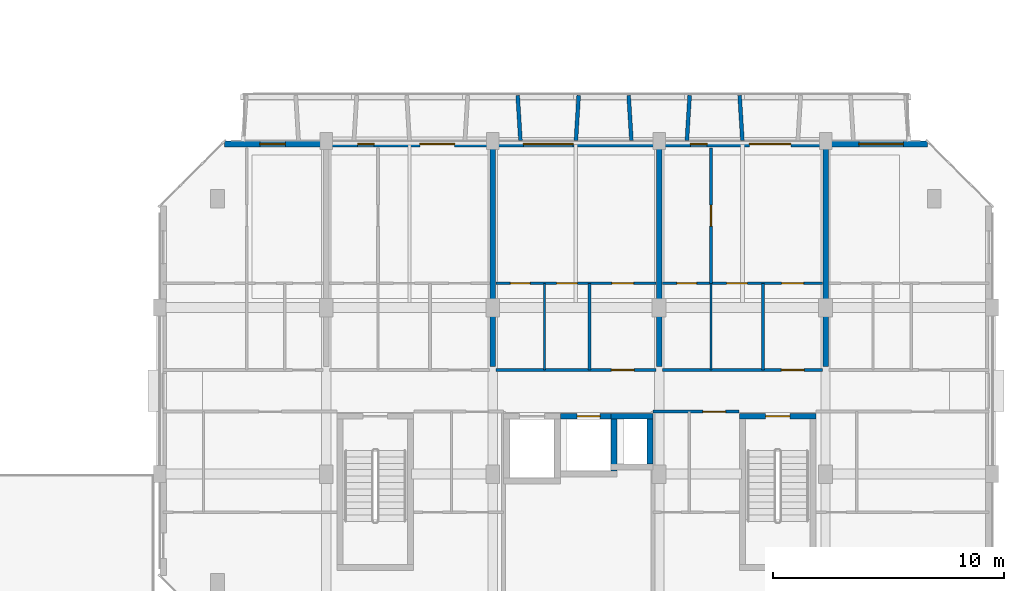
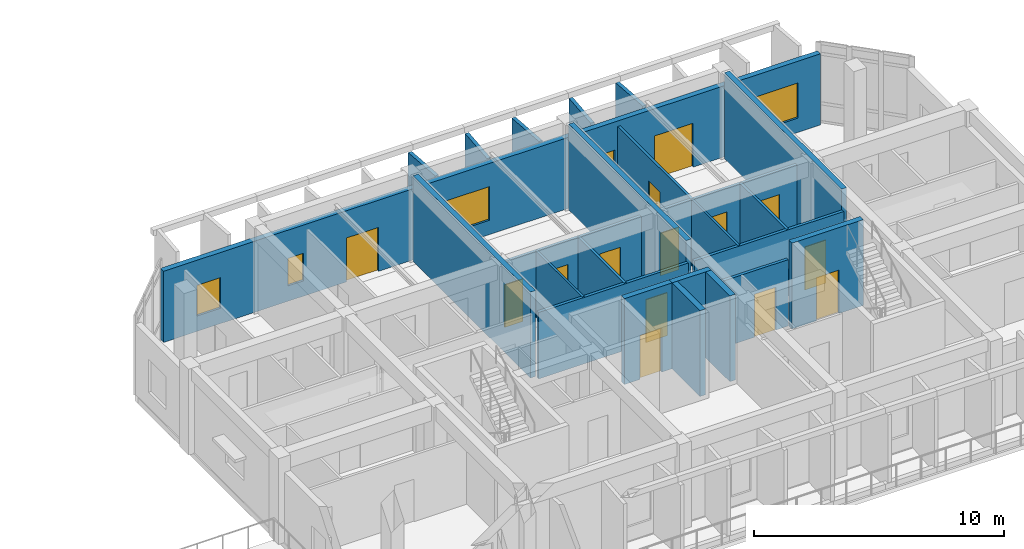
# One storey, part 61 of 85: 24 walls, 14 doors, 5 windows, 19 openings.
"""IFC4 building model written with IfcOpenShell, lengths in metres."""

from ifc_helpers import new_model, si_unit, direction, frame, frame_2d, origin, place, context, subcontext, project, spatial, rectangle, extrude, material, layer, layer_set, type_object, element, fill, save


model = new_model("IFC4")

# Units and contexts
model_context = context("Model", 3, precision=1e-05, world=origin(), true_north=direction((0.0, 1.0)))
body_context = subcontext(model_context, "Body", "Model", "MODEL_VIEW")
ifc_project = project(units=[si_unit("LENGTHUNIT", "METRE"), si_unit("AREAUNIT", "SQUARE_METRE"), si_unit("VOLUMEUNIT", "CUBIC_METRE"), si_unit("PLANEANGLEUNIT", "RADIAN"), si_unit("MASSUNIT", "GRAM", prefix="KILO")], contexts=[model_context])

# Site, building, storey
site_placement = place(None, origin())
site = spatial("IfcSite", under=ifc_project, at=site_placement, CompositionType="ELEMENT")
building_placement = place(site_placement, origin())
building = spatial("IfcBuilding", under=site, at=building_placement, Name="Ochrevale Crest", CompositionType="ELEMENT")
storey_placement = place(building_placement, frame((0.0, 0.0, 4.5)))
storey = spatial("IfcBuildingStorey", under=building, at=storey_placement, Name="L01", CompositionType="ELEMENT", Elevation=4.5)

# Wall, opening, door
ifc_material_1 = material(Name="Gypsum plasterboard", Category="gypsum")
ifc_layer_1 = layer(ifc_material_1, 0.139892578125)
ifc_layer_set_1 = layer_set([ifc_layer_1], Name="Gypsum plasterboard")
wall_type_1 = type_object("IfcWallType", Name="WL-COR-140", PredefinedType="PARTITIONING", material=ifc_layer_set_1)
wall_1_placement = place(storey_placement, frame((144.139892578125, 83.699951171875, 0.0), z_axis=(0.0, 0.0, 1.0), x_axis=(1.0, 0.0, 0.0)))
wall_1 = element("IfcWall", 1, at=wall_1_placement, inside=storey, type_object=wall_type_1, Name="Apartment D-L01-U3 corridor wall", PredefinedType="PARTITIONING", context=body_context, shape_type="SweptSolid", body=[
    extrude(rectangle(XDim=6.920166015625, YDim=0.139892578125, at=frame_2d((3.4599609375, 0.0))), origin(), (0.0, 0.0, 1.0), 3.25),
])
opening_1_placement = place(wall_1_placement, frame((4.9951171875, 0.0, 0.0)))
opening_1 = element("IfcOpeningElement", 2, at=opening_1_placement, cuts=wall_1, Name="Opening FD01", PredefinedType="OPENING", context=body_context, shape_type="SweptSolid", body=[
    extrude(rectangle(XDim=0.97998046875, YDim=2.10009765625, at=frame_2d((0.489990234375, 1.050048828125))), frame((0.0, 0.080078125, 0.0), z_axis=(0.0, -1.0, 0.0), x_axis=(1.0, 0.0, 0.0)), (0.0, 0.0, 1.0), 0.159912109375),
])
ifc_material_2 = material(Name="Solid-core FSC hardwood", Category="wood")
door_type_1 = type_object("IfcDoorType", Name="DR-APT-950", OperationType="NOTDEFINED", PredefinedType="DOOR", material=ifc_material_2)
door_1_placement = place(opening_1_placement, origin())
door_1 = element("IfcDoor", 3, at=door_1_placement, inside=storey, type_object=door_type_1, Name="Apartment D-L01-U3 entrance door", OperationType="SINGLE_SWING_LEFT", OverallHeight=2.10009765625, OverallWidth=0.97998046875, PredefinedType="DOOR", context=body_context, shape_type="SweptSolid", body=[
    extrude(rectangle(XDim=0.97998046875, YDim=2.10009765625, at=frame_2d((0.489990234375, 1.050048828125))), frame((0.0, 0.02490234375, 0.0), z_axis=(0.0, -1.0, 0.0), x_axis=(1.0, 0.0, 0.0)), (0.0, 0.0, 1.0), 0.050048828125),
])
fill(opening_1, door_1)

wall_2_placement = place(storey_placement, frame((151.340087890625, 83.699951171875, 0.0), z_axis=(0.0, 0.0, 1.0), x_axis=(1.0, 0.0, 0.0)))
wall_2 = element("IfcWall", 4, at=wall_2_placement, inside=storey, type_object=wall_type_1, Name="Apartment D-L01-U4 corridor wall", PredefinedType="PARTITIONING", context=body_context, shape_type="SweptSolid", body=[
    extrude(rectangle(XDim=6.919921875, YDim=0.139892578125, at=frame_2d((3.4599609375, 0.0))), origin(), (0.0, 0.0, 1.0), 3.25),
])
opening_2_placement = place(wall_2_placement, frame((5.14501953125, 0.0, 0.0)))
opening_2 = element("IfcOpeningElement", 5, at=opening_2_placement, cuts=wall_2, Name="Opening FD01", PredefinedType="OPENING", context=body_context, shape_type="SweptSolid", body=[
    extrude(rectangle(XDim=0.97998046875, YDim=2.10009765625, at=frame_2d((0.489990234375, 1.050048828125))), frame((0.0, 0.080078125, 0.0), z_axis=(0.0, -1.0, 0.0), x_axis=(1.0, 0.0, 0.0)), (0.0, 0.0, 1.0), 0.159912109375),
])
door_2_placement = place(opening_2_placement, origin())
door_2 = element("IfcDoor", 6, at=door_2_placement, inside=storey, type_object=door_type_1, Name="Apartment D-L01-U4 entrance door", OperationType="SINGLE_SWING_LEFT", OverallHeight=2.10009765625, OverallWidth=0.97998046875, PredefinedType="DOOR", context=body_context, shape_type="SweptSolid", body=[
    extrude(rectangle(XDim=0.97998046875, YDim=2.10009765625, at=frame_2d((0.489990234375, 1.050048828125))), frame((0.0, 0.02490234375, 0.0), z_axis=(0.0, -1.0, 0.0), x_axis=(1.0, 0.0, 0.0)), (0.0, 0.0, 1.0), 0.050048828125),
])
fill(opening_2, door_2)

wall_3_placement = place(storey_placement, frame((150.93994140625, 81.89990234375, 0.0), z_axis=(0.0, 0.0, 1.0), x_axis=(1.0, 0.0, 0.0)))
wall_3 = element("IfcWall", 7, at=wall_3_placement, inside=storey, type_object=wall_type_1, Name="Suite D-L01-ME corridor wall", PredefinedType="PARTITIONING", context=body_context, shape_type="SweptSolid", body=[
    extrude(rectangle(XDim=3.719970703125, YDim=0.139892578125, at=frame_2d((1.85986328125, 0.0))), origin(), (0.0, 0.0, 1.0), 3.25),
])
opening_3_placement = place(wall_3_placement, frame((3.131103515625, 0.0, 0.0), z_axis=(0.0, 0.0, 1.0), x_axis=(-1.0, 0.0, 0.0)))
opening_3 = element("IfcOpeningElement", 8, at=opening_3_placement, cuts=wall_3, Name="Opening FD01", PredefinedType="OPENING", context=body_context, shape_type="SweptSolid", body=[
    extrude(rectangle(XDim=0.97998046875, YDim=2.10009765625, at=frame_2d((0.489990234375, 1.050048828125))), frame((0.0, 0.080078125, 0.0), z_axis=(0.0, -1.0, 0.0), x_axis=(1.0, 0.0, 0.0)), (0.0, 0.0, 1.0), 0.159912109375),
])
door_3_placement = place(opening_3_placement, origin())
door_3 = element("IfcDoor", 9, at=door_3_placement, inside=storey, type_object=door_type_1, Name="Suite D-L01-ME entrance door", OperationType="SINGLE_SWING_RIGHT", OverallHeight=2.10009765625, OverallWidth=0.97998046875, PredefinedType="DOOR", context=body_context, shape_type="SweptSolid", body=[
    extrude(rectangle(XDim=0.97998046875, YDim=2.10009765625, at=frame_2d((0.489990234375, 1.050048828125))), frame((0.0, 0.02490234375, 0.0), z_axis=(0.0, -1.0, 0.0), x_axis=(1.0, 0.0, 0.0)), (0.0, 0.0, 1.0), 0.050048828125),
])
fill(opening_3, door_3)

ifc_material_3 = material(Name="Precast concrete C50/60", Category="concrete")
ifc_layer_2 = layer(ifc_material_3, 0.2548828125)
ifc_layer_set_2 = layer_set([ifc_layer_2], Name="Precast concrete C50/60")
wall_type_2 = type_object("IfcWallType", Name="WL-CORE-255", PredefinedType="SHEAR", material=ifc_layer_set_2)
wall_4_placement = place(storey_placement, frame((154.672607421875, 81.699951171875, 0.0), z_axis=(0.0, 0.0, 1.0), x_axis=(1.0, 0.0, 0.0)))
wall_4 = element("IfcWall", 10, at=wall_4_placement, inside=storey, type_object=wall_type_2, Name="Block D L01 Stair 2 precast core shear wall N", PredefinedType="SHEAR", context=body_context, shape_type="SweptSolid", body=[
    extrude(rectangle(XDim=3.304931640625, YDim=0.2548828125, at=frame_2d((1.65234375, 0.0))), origin(), (0.0, 0.0, 1.0), 4.199951171875),
])
opening_4_placement = place(wall_4_placement, frame((1.12744140625, 0.0, 0.0)))
opening_4 = element("IfcOpeningElement", 11, at=opening_4_placement, cuts=wall_4, Name="Opening FD03", PredefinedType="OPENING", context=body_context, shape_type="SweptSolid", body=[
    extrude(rectangle(XDim=1.050048828125, YDim=2.1201171875, at=frame_2d((0.52490234375, 1.06005859375))), frame((0.0, 0.137451171875, 0.0), z_axis=(0.0, -1.0, 0.0), x_axis=(1.0, 0.0, 0.0)), (0.0, 0.0, 1.0), 0.27490234375),
])
door_type_2 = type_object("IfcDoorType", Name="DR-ST-1050", OperationType="NOTDEFINED", PredefinedType="DOOR", material=ifc_material_2)
door_4_placement = place(opening_4_placement, origin())
door_4 = element("IfcDoor", 12, at=door_4_placement, inside=storey, type_object=door_type_2, Name="Block D L01 fire stair 2 door", OperationType="SINGLE_SWING_LEFT", OverallHeight=2.1201171875, OverallWidth=1.050048828125, PredefinedType="DOOR", context=body_context, shape_type="SweptSolid", body=[
    extrude(rectangle(XDim=1.050048828125, YDim=2.1201171875, at=frame_2d((0.52490234375, 1.06005859375))), frame((0.0, 0.02490234375, 0.0), z_axis=(0.0, -1.0, 0.0), x_axis=(1.0, 0.0, 0.0)), (0.0, 0.0, 1.0), 0.050048828125),
])
fill(opening_4, door_4)

wall_5_placement = place(storey_placement, frame((146.922607421875, 81.699951171875, 0.0), z_axis=(0.0, 0.0, 1.0), x_axis=(1.0, 0.0, 0.0)))
wall_5 = element("IfcWall", 13, at=wall_5_placement, inside=storey, type_object=wall_type_2, Name="Block D L01 Lift 2 precast shaft shear wall N", PredefinedType="SHEAR", context=body_context, shape_type="SweptSolid", body=[
    extrude(rectangle(XDim=2.454833984375, YDim=0.2548828125, at=frame_2d((1.2275390625, 0.0))), origin(), (0.0, 0.0, 1.0), 4.199951171875),
])
opening_5_placement = place(wall_5_placement, frame((0.7275390625, 0.0, 0.0)))
opening_5 = element("IfcOpeningElement", 14, at=opening_5_placement, cuts=wall_5, Name="Opening LD02", PredefinedType="OPENING", context=body_context, shape_type="SweptSolid", body=[
    extrude(rectangle(XDim=1.0, YDim=2.14990234375, at=frame_2d((0.5, 1.074951171875))), frame((0.0, 0.137451171875, 0.0), z_axis=(0.0, -1.0, 0.0), x_axis=(1.0, 0.0, 0.0)), (0.0, 0.0, 1.0), 0.27490234375),
])
door_type_3 = type_object("IfcDoorType", Name="DR-LIFT-1000", OperationType="NOTDEFINED", PredefinedType="DOOR", material=ifc_material_2)
door_5_placement = place(opening_5_placement, origin())
door_5 = element("IfcDoor", 15, at=door_5_placement, inside=storey, type_object=door_type_3, Name="Lift LP-D2 L01 sliding landing door", OperationType="SLIDING_TO_RIGHT", OverallHeight=2.14990234375, OverallWidth=1.0, PredefinedType="DOOR", context=body_context, shape_type="SweptSolid", body=[
    extrude(rectangle(XDim=1.0, YDim=2.14990234375, at=frame_2d((0.5, 1.074951171875))), frame((0.0, 0.02490234375, 0.0), z_axis=(0.0, -1.0, 0.0), x_axis=(1.0, 0.0, 0.0)), (0.0, 0.0, 1.0), 0.050048828125),
])
fill(opening_5, door_5)

# Walls
wall_6_placement = place(storey_placement, frame((149.25, 79.327392578125, 0.0), z_axis=(0.0, 0.0, 1.0), x_axis=(0.0, 1.0, 0.0)))
element("IfcWall", 16, at=wall_6_placement, inside=storey, type_object=wall_type_2, Name="Block D L01 Lift 2 precast shaft shear wall E", PredefinedType="SHEAR", context=body_context, shape_type="SweptSolid", body=[
    extrude(rectangle(XDim=2.2451171875, YDim=0.2548828125, at=frame_2d((1.12255859375, 0.0))), origin(), (0.0, 0.0, 1.0), 4.199951171875),
])
wall_7_placement = place(storey_placement, frame((149.12255859375, 81.699951171875, 0.0), z_axis=(0.0, 0.0, 1.0), x_axis=(1.0, 0.0, 0.0)))
element("IfcWall", 17, at=wall_7_placement, inside=storey, type_object=wall_type_2, Name="Block D L01 services riser shaft core wall N", PredefinedType="SHEAR", context=body_context, shape_type="SweptSolid", body=[
    extrude(rectangle(XDim=1.804931640625, YDim=0.2548828125, at=frame_2d((0.90234375, 0.0))), origin(), (0.0, 0.0, 1.0), 4.199951171875),
])
wall_8_placement = place(storey_placement, frame((150.800048828125, 79.62744140625, 0.0), z_axis=(0.0, 0.0, 1.0), x_axis=(0.0, 1.0, 0.0)))
element("IfcWall", 18, at=wall_8_placement, inside=storey, type_object=wall_type_2, Name="Block D L01 services riser shaft core wall E", PredefinedType="SHEAR", context=body_context, shape_type="SweptSolid", body=[
    extrude(rectangle(XDim=1.945068359375, YDim=0.2548828125, at=frame_2d((0.97265625, 0.0))), origin(), (0.0, 0.0, 1.0), 4.199951171875),
])

# Wall, openings, doors, windows
ifc_material_4 = material(Name="Precast concrete C40/50", Category="concrete")
ifc_layer_3 = layer(ifc_material_4, 0.25)
ifc_layer_set_3 = layer_set([ifc_layer_3], Name="Precast concrete C40/50")
wall_type_3 = type_object("IfcWallType", Name="WL-EXT-GOLD-250", PredefinedType="SOLIDWALL", material=ifc_layer_set_3)
wall_9_placement = place(storey_placement, frame((162.800048828125, 93.47509765625, 0.0), z_axis=(0.0, 0.0, 1.0), x_axis=(-1.0, 0.0, 0.0)))
wall_9 = element("IfcWall", 19, at=wall_9_placement, inside=storey, type_object=wall_type_3, Name="Block D L01 external facade wall E5", PredefinedType="SOLIDWALL", context=body_context, shape_type="SweptSolid", body=[
    extrude(rectangle(XDim=30.400146484375, YDim=0.25, at=frame_2d((15.2001953125, 0.0))), origin(), (0.0, 0.0, 1.0), 3.47998046875),
])
opening_6_placement = place(wall_9_placement, frame((21.949951171875, 0.0, 0.0), z_axis=(0.0, 0.0, 1.0), x_axis=(-1.0, 0.0, 0.0)))
opening_6 = element("IfcOpeningElement", 20, at=opening_6_placement, cuts=wall_9, Name="Opening BD01", PredefinedType="OPENING", context=body_context, shape_type="SweptSolid", body=[
    extrude(rectangle(XDim=1.5, YDim=2.14990234375, at=frame_2d((0.75, 1.074951171875))), frame((0.0, 0.135009765625, 0.0), z_axis=(0.0, -1.0, 0.0), x_axis=(1.0, 0.0, 0.0)), (0.0, 0.0, 1.0), 0.27001953125),
])
opening_7_placement = place(wall_9_placement, frame((7.699951171875, 0.0, 0.0), z_axis=(0.0, 0.0, 1.0), x_axis=(-1.0, 0.0, 0.0)))
opening_7 = element("IfcOpeningElement", 21, at=opening_7_placement, cuts=wall_9, Name="Opening BD03", PredefinedType="OPENING", context=body_context, shape_type="SweptSolid", body=[
    extrude(rectangle(XDim=1.800048828125, YDim=2.14990234375, at=frame_2d((0.89990234375, 1.074951171875))), frame((0.0, 0.135009765625, 0.0), z_axis=(0.0, -1.0, 0.0), x_axis=(1.0, 0.0, 0.0)), (0.0, 0.0, 1.0), 0.27001953125),
])
opening_8_placement = place(wall_9_placement, frame((27.764892578125, 0.0, 0.75)))
opening_8 = element("IfcOpeningElement", 22, at=opening_8_placement, cuts=wall_9, Name="Opening W05", PredefinedType="OPENING", context=body_context, shape_type="SweptSolid", body=[
    extrude(rectangle(XDim=1.10009765625, YDim=1.5, at=frame_2d((0.550048828125, 0.75))), frame((0.0, 0.135009765625, 0.0), z_axis=(0.0, -1.0, 0.0), x_axis=(1.0, 0.0, 0.0)), (0.0, 0.0, 1.0), 0.27001953125),
])
opening_9_placement = place(wall_9_placement, frame((23.925048828125, 0.0, 0.75)))
opening_9 = element("IfcOpeningElement", 23, at=opening_9_placement, cuts=wall_9, Name="Opening W02", PredefinedType="OPENING", context=body_context, shape_type="SweptSolid", body=[
    extrude(rectangle(XDim=0.719970703125, YDim=1.35009765625, at=frame_2d((0.35986328125, 0.675048828125))), frame((0.0, 0.135009765625, 0.0), z_axis=(0.0, -1.0, 0.0), x_axis=(1.0, 0.0, 0.0)), (0.0, 0.0, 1.0), 0.27001953125),
])
opening_10_placement = place(wall_9_placement, frame((15.324951171875, 0.0, 0.699951171875)))
opening_10 = element("IfcOpeningElement", 24, at=opening_10_placement, cuts=wall_9, Name="Opening W13", PredefinedType="OPENING", context=body_context, shape_type="SweptSolid", body=[
    extrude(rectangle(XDim=2.14990234375, YDim=1.64990234375, at=frame_2d((1.074951171875, 0.824951171875))), frame((0.0, 0.135009765625, 0.0), z_axis=(0.0, -1.0, 0.0), x_axis=(1.0, 0.0, 0.0)), (0.0, 0.0, 1.0), 0.27001953125),
])
opening_11_placement = place(wall_9_placement, frame((9.52490234375, 0.0, 0.75)))
opening_11 = element("IfcOpeningElement", 25, at=opening_11_placement, cuts=wall_9, Name="Opening W02", PredefinedType="OPENING", context=body_context, shape_type="SweptSolid", body=[
    extrude(rectangle(XDim=0.719970703125, YDim=1.35009765625, at=frame_2d((0.35986328125, 0.675048828125))), frame((0.0, 0.135009765625, 0.0), z_axis=(0.0, -1.0, 0.0), x_axis=(1.0, 0.0, 0.0)), (0.0, 0.0, 1.0), 0.27001953125),
])
opening_12_placement = place(wall_9_placement, frame((1.0400390625, 0.0, 0.699951171875)))
opening_12 = element("IfcOpeningElement", 26, at=opening_12_placement, cuts=wall_9, Name="Opening W33", PredefinedType="OPENING", context=body_context, shape_type="SweptSolid", body=[
    extrude(rectangle(XDim=1.919921875, YDim=1.719970703125, at=frame_2d((0.9599609375, 0.85986328125))), frame((0.0, 0.135009765625, 0.0), z_axis=(0.0, -1.0, 0.0), x_axis=(1.0, 0.0, 0.0)), (0.0, 0.0, 1.0), 0.27001953125),
])
ifc_material_5 = material(Name="Anodised aluminium 6063-T5 and toughened glass", Category="aluminium")
door_type_4 = type_object("IfcDoorType", Name="DR-BAL-1500", OperationType="NOTDEFINED", PredefinedType="DOOR", material=ifc_material_5)
door_6_placement = place(opening_6_placement, origin())
door_6 = element("IfcDoor", 27, at=door_6_placement, inside=storey, type_object=door_type_4, Name="Block D L01 balcony door N2", OperationType="SINGLE_SWING_RIGHT", OverallHeight=2.14990234375, OverallWidth=1.5, PredefinedType="DOOR", context=body_context, shape_type="SweptSolid", body=[
    extrude(rectangle(XDim=1.5, YDim=2.14990234375, at=frame_2d((0.75, 1.074951171875))), frame((0.0, 0.02490234375, 0.0), z_axis=(0.0, -1.0, 0.0), x_axis=(1.0, 0.0, 0.0)), (0.0, 0.0, 1.0), 0.050048828125),
])
fill(opening_6, door_6)
door_type_5 = type_object("IfcDoorType", Name="DR-BAL-1800", OperationType="NOTDEFINED", PredefinedType="DOOR", material=ifc_material_5)
door_7_placement = place(opening_7_placement, origin())
door_7 = element("IfcDoor", 28, at=door_7_placement, inside=storey, type_object=door_type_5, Name="Block D L01 balcony door N4", OperationType="SINGLE_SWING_LEFT", OverallHeight=2.14990234375, OverallWidth=1.800048828125, PredefinedType="DOOR", context=body_context, shape_type="SweptSolid", body=[
    extrude(rectangle(XDim=1.800048828125, YDim=2.14990234375, at=frame_2d((0.89990234375, 1.074951171875))), frame((0.0, 0.02490234375, 0.0), z_axis=(0.0, -1.0, 0.0), x_axis=(1.0, 0.0, 0.0)), (0.0, 0.0, 1.0), 0.050048828125),
])
fill(opening_7, door_7)
ifc_material_6 = material(Name="Anodised aluminium 6063-T5 and low-E double glazing", Category="aluminium")
window_type_1 = type_object("IfcWindowType", Name="WIN-W02", PartitioningType="SINGLE_PANEL", PredefinedType="WINDOW", material=ifc_material_6)
window_1_placement = place(opening_9_placement, origin())
window_1 = element("IfcWindow", 29, at=window_1_placement, inside=storey, type_object=window_type_1, Name="Block D L01 Apartment D-L01-U2 Twin Bedroom window", OverallHeight=1.35009765625, OverallWidth=0.719970703125, PartitioningType="SINGLE_PANEL", PredefinedType="WINDOW", context=body_context, shape_type="SweptSolid", body=[
    extrude(rectangle(XDim=0.719970703125, YDim=1.35009765625, at=frame_2d((0.35986328125, 0.675048828125))), frame((0.0, 0.030029296875, 0.0), z_axis=(0.0, -1.0, 0.0), x_axis=(1.0, 0.0, 0.0)), (0.0, 0.0, 1.0), 0.06005859375),
])
fill(opening_9, window_1)
window_2_placement = place(opening_11_placement, origin())
window_2 = element("IfcWindow", 30, at=window_2_placement, inside=storey, type_object=window_type_1, Name="Block D L01 Apartment D-L01-U4 Master Bedroom window", OverallHeight=1.35009765625, OverallWidth=0.719970703125, PartitioningType="SINGLE_PANEL", PredefinedType="WINDOW", context=body_context, shape_type="SweptSolid", body=[
    extrude(rectangle(XDim=0.719970703125, YDim=1.35009765625, at=frame_2d((0.35986328125, 0.675048828125))), frame((0.0, 0.030029296875, 0.0), z_axis=(0.0, -1.0, 0.0), x_axis=(1.0, 0.0, 0.0)), (0.0, 0.0, 1.0), 0.06005859375),
])
fill(opening_11, window_2)
window_type_2 = type_object("IfcWindowType", Name="WIN-W05", PartitioningType="SINGLE_PANEL", PredefinedType="WINDOW", material=ifc_material_6)
window_3_placement = place(opening_8_placement, origin())
window_3 = element("IfcWindow", 31, at=window_3_placement, inside=storey, type_object=window_type_2, Name="Block D L01 Apartment D-L01-U1 One Bedroom Living Room window", OverallHeight=1.5, OverallWidth=1.10009765625, PartitioningType="SINGLE_PANEL", PredefinedType="WINDOW", context=body_context, shape_type="SweptSolid", body=[
    extrude(rectangle(XDim=1.10009765625, YDim=1.5, at=frame_2d((0.550048828125, 0.75))), frame((0.0, 0.030029296875, 0.0), z_axis=(0.0, -1.0, 0.0), x_axis=(1.0, 0.0, 0.0)), (0.0, 0.0, 1.0), 0.06005859375),
])
fill(opening_8, window_3)
window_type_3 = type_object("IfcWindowType", Name="WIN-W13", PartitioningType="SINGLE_PANEL", PredefinedType="WINDOW", material=ifc_material_6)
window_4_placement = place(opening_10_placement, origin())
window_4 = element("IfcWindow", 32, at=window_4_placement, inside=storey, type_object=window_type_3, Name="Block D L01 Studio D-L01-U3 Living Room window", OverallHeight=1.64990234375, OverallWidth=2.14990234375, PartitioningType="SINGLE_PANEL", PredefinedType="WINDOW", context=body_context, shape_type="SweptSolid", body=[
    extrude(rectangle(XDim=2.14990234375, YDim=1.64990234375, at=frame_2d((1.074951171875, 0.824951171875))), frame((0.0, 0.030029296875, 0.0), z_axis=(0.0, -1.0, 0.0), x_axis=(1.0, 0.0, 0.0)), (0.0, 0.0, 1.0), 0.06005859375),
])
fill(opening_10, window_4)
window_type_4 = type_object("IfcWindowType", Name="WIN-W33", PartitioningType="SINGLE_PANEL", PredefinedType="WINDOW", material=ifc_material_6)
window_5_placement = place(opening_12_placement, origin())
window_5 = element("IfcWindow", 33, at=window_5_placement, inside=storey, type_object=window_type_4, Name="Block D L01 Studio D-L01-U5 Living Room window", OverallHeight=1.719970703125, OverallWidth=1.919921875, PartitioningType="SINGLE_PANEL", PredefinedType="WINDOW", context=body_context, shape_type="SweptSolid", body=[
    extrude(rectangle(XDim=1.919921875, YDim=1.719970703125, at=frame_2d((0.9599609375, 0.85986328125))), frame((0.0, 0.030029296875, 0.0), z_axis=(0.0, -1.0, 0.0), x_axis=(1.0, 0.0, 0.0)), (0.0, 0.0, 1.0), 0.06005859375),
])
fill(opening_12, window_5)

# Walls
ifc_layer_4 = layer(ifc_material_4, 0.1650390625)
ifc_layer_set_4 = layer_set([ifc_layer_4], Name="Precast concrete C40/50")
wall_type_4 = type_object("IfcWallType", Name="WL-HC-CHEEK-165", PredefinedType="ELEMENTEDWALL", material=ifc_layer_set_4)
for number, where, z_axis, x_axis, name in (
    (34, (145.199951171875, 93.6201171875, 0.0), (0.0, 0.0, 1.0), (-0.061046865508, 0.998134900808, 0.0), "Block D L01 N precast honeycomb cheek 6"),
    (35, (147.60009765625, 93.6201171875, 0.0), (0.0, 0.0, 1.0), (0.061046865508, 0.998134900808, 0.0), "Block D L01 N precast honeycomb cheek 7"),
    (36, (150.0, 93.6201171875, 0.0), (0.0, 0.0, 1.0), (-0.061170732449, 0.998127317276, 0.0), "Block D L01 N precast honeycomb cheek 8"),
):
    element("IfcWall", number, at=place(storey_placement, frame(where, z_axis=z_axis, x_axis=x_axis)), inside=storey, type_object=wall_type_4, Name=name, PredefinedType="ELEMENTEDWALL", context=body_context, shape_type="SweptSolid", body=[
        extrude(rectangle(XDim=1.963623046875, YDim=0.1650390625, at=frame_2d((0.98193359375, 0.0))), origin(), (0.0, 0.0, 1.0), 3.530029296875),
    ])
for number, where, z_axis, x_axis, name in (
    (37, (152.39990234375, 93.6201171875, 0.0), (0.0, 0.0, 1.0), (0.061170732449, 0.998127317276, 0.0), "Block D L01 N precast honeycomb cheek 9"),
    (38, (154.800048828125, 93.6201171875, 0.0), (0.0, 0.0, 1.0), (-0.061170732449, 0.998127317276, 0.0), "Block D L01 N precast honeycomb cheek 10"),
):
    element("IfcWall", number, at=place(storey_placement, frame(where, z_axis=z_axis, x_axis=x_axis)), inside=storey, type_object=wall_type_4, Name=name, PredefinedType="ELEMENTEDWALL", context=body_context, shape_type="SweptSolid", body=[
        extrude(rectangle(XDim=1.963623046875, YDim=0.1650390625, at=frame_2d((0.98193359375, 0.0))), origin(), (0.0, 0.0, 1.0), 3.580078125),
    ])
ifc_layer_5 = layer(ifc_material_1, 0.1201171875)
ifc_layer_set_5 = layer_set([ifc_layer_5], Name="Gypsum plasterboard")
wall_type_5 = type_object("IfcWallType", Name="WL-PART-120", PredefinedType="PARTITIONING", material=ifc_layer_set_5)
wall_10_placement = place(storey_placement, frame((148.18994140625, 83.699951171875, 0.0), z_axis=(0.0, 0.0, 1.0), x_axis=(0.0, 1.0, 0.0)))
element("IfcWall", 39, at=wall_10_placement, inside=storey, type_object=wall_type_5, Name="Apartment D-L01-U3 kitchen-foyer wall", PredefinedType="PARTITIONING", context=body_context, shape_type="SweptSolid", body=[
    extrude(rectangle(XDim=3.75, YDim=0.1201171875, at=frame_2d((1.875, 0.0))), origin(), (0.0, 0.0, 1.0), 3.25),
])

# Wall, openings, doors
wall_11_placement = place(storey_placement, frame((144.139892578125, 87.449951171875, 0.0), z_axis=(0.0, 0.0, 1.0), x_axis=(1.0, 0.0, 0.0)))
wall_11 = element("IfcWall", 40, at=wall_11_placement, inside=storey, type_object=wall_type_5, Name="Apartment D-L01-U3 central partition", PredefinedType="PARTITIONING", context=body_context, shape_type="SweptSolid", body=[
    extrude(rectangle(XDim=6.920166015625, YDim=0.1201171875, at=frame_2d((3.4599609375, 0.0))), origin(), (0.0, 0.0, 1.0), 3.25),
])
opening_13_placement = place(wall_11_placement, frame((1.47509765625, 0.0, 0.0), z_axis=(0.0, 0.0, 1.0), x_axis=(-1.0, 0.0, 0.0)))
opening_13 = element("IfcOpeningElement", 41, at=opening_13_placement, cuts=wall_11, Name="Opening ID01", PredefinedType="OPENING", context=body_context, shape_type="SweptSolid", body=[
    extrude(rectangle(XDim=0.85009765625, YDim=2.080078125, at=frame_2d((0.425048828125, 1.0400390625))), frame((0.0, 0.070068359375, 0.0), z_axis=(0.0, -1.0, 0.0), x_axis=(1.0, 0.0, 0.0)), (0.0, 0.0, 1.0), 0.14013671875),
])
opening_14_placement = place(wall_11_placement, frame((2.625, 0.0, 0.0)))
opening_14 = element("IfcOpeningElement", 42, at=opening_14_placement, cuts=wall_11, Name="Opening ID02", PredefinedType="OPENING", context=body_context, shape_type="SweptSolid", body=[
    extrude(rectangle(XDim=0.89990234375, YDim=2.080078125, at=frame_2d((0.449951171875, 1.0400390625))), frame((0.0, 0.070068359375, 0.0), z_axis=(0.0, -1.0, 0.0), x_axis=(1.0, 0.0, 0.0)), (0.0, 0.0, 1.0), 0.14013671875),
])
opening_15_placement = place(wall_11_placement, frame((5.9599609375, 0.0, 0.0), z_axis=(0.0, 0.0, 1.0), x_axis=(-1.0, 0.0, 0.0)))
opening_15 = element("IfcOpeningElement", 43, at=opening_15_placement, cuts=wall_11, Name="Opening ID06", PredefinedType="OPENING", context=body_context, shape_type="SweptSolid", body=[
    extrude(rectangle(XDim=0.949951171875, YDim=2.080078125, at=frame_2d((0.47509765625, 1.0400390625))), frame((0.0, 0.070068359375, 0.0), z_axis=(0.0, -1.0, 0.0), x_axis=(1.0, 0.0, 0.0)), (0.0, 0.0, 1.0), 0.14013671875),
])
door_type_6 = type_object("IfcDoorType", Name="DR-INT-900", OperationType="NOTDEFINED", PredefinedType="DOOR", material=ifc_material_2)
door_8_placement = place(opening_14_placement, origin())
door_8 = element("IfcDoor", 44, at=door_8_placement, inside=storey, type_object=door_type_6, Name="Apartment D-L01-U3 Kitchen door", OperationType="SINGLE_SWING_LEFT", OverallHeight=2.080078125, OverallWidth=0.89990234375, PredefinedType="DOOR", context=body_context, shape_type="SweptSolid", body=[
    extrude(rectangle(XDim=0.89990234375, YDim=2.080078125, at=frame_2d((0.449951171875, 1.0400390625))), frame((0.0, 0.02490234375, 0.0), z_axis=(0.0, -1.0, 0.0), x_axis=(1.0, 0.0, 0.0)), (0.0, 0.0, 1.0), 0.050048828125),
])
fill(opening_14, door_8)
door_type_7 = type_object("IfcDoorType", Name="DR-INT-950", OperationType="NOTDEFINED", PredefinedType="DOOR", material=ifc_material_2)
door_9_placement = place(opening_15_placement, origin())
door_9 = element("IfcDoor", 45, at=door_9_placement, inside=storey, type_object=door_type_7, Name="Apartment D-L01-U3 Living Foyer door", OperationType="SINGLE_SWING_RIGHT", OverallHeight=2.080078125, OverallWidth=0.949951171875, PredefinedType="DOOR", context=body_context, shape_type="SweptSolid", body=[
    extrude(rectangle(XDim=0.949951171875, YDim=2.080078125, at=frame_2d((0.47509765625, 1.0400390625))), frame((0.0, 0.02490234375, 0.0), z_axis=(0.0, -1.0, 0.0), x_axis=(1.0, 0.0, 0.0)), (0.0, 0.0, 1.0), 0.050048828125),
])
fill(opening_15, door_9)
door_type_8 = type_object("IfcDoorType", Name="DR-WC-850", OperationType="NOTDEFINED", PredefinedType="DOOR", material=ifc_material_2)
door_10_placement = place(opening_13_placement, origin())
door_10 = element("IfcDoor", 46, at=door_10_placement, inside=storey, type_object=door_type_8, Name="Apartment D-L01-U3 Bathroom door", OperationType="SINGLE_SWING_RIGHT", OverallHeight=2.080078125, OverallWidth=0.85009765625, PredefinedType="DOOR", context=body_context, shape_type="SweptSolid", body=[
    extrude(rectangle(XDim=0.85009765625, YDim=2.080078125, at=frame_2d((0.425048828125, 1.0400390625))), frame((0.0, 0.02490234375, 0.0), z_axis=(0.0, -1.0, 0.0), x_axis=(1.0, 0.0, 0.0)), (0.0, 0.0, 1.0), 0.050048828125),
])
fill(opening_13, door_10)

# Wall
wall_12_placement = place(storey_placement, frame((155.68994140625, 83.699951171875, 0.0), z_axis=(0.0, 0.0, 1.0), x_axis=(0.0, 1.0, 0.0)))
element("IfcWall", 47, at=wall_12_placement, inside=storey, type_object=wall_type_5, Name="Apartment D-L01-U4 kitchen-foyer wall", PredefinedType="PARTITIONING", context=body_context, shape_type="SweptSolid", body=[
    extrude(rectangle(XDim=3.75, YDim=0.1201171875, at=frame_2d((1.875, 0.0))), origin(), (0.0, 0.0, 1.0), 3.25),
])

# Wall, openings, doors
wall_13_placement = place(storey_placement, frame((151.340087890625, 87.449951171875, 0.0), z_axis=(0.0, 0.0, 1.0), x_axis=(1.0, 0.0, 0.0)))
wall_13 = element("IfcWall", 48, at=wall_13_placement, inside=storey, type_object=wall_type_5, Name="Apartment D-L01-U4 central partition", PredefinedType="PARTITIONING", context=body_context, shape_type="SweptSolid", body=[
    extrude(rectangle(XDim=6.919921875, YDim=0.1201171875, at=frame_2d((3.4599609375, 0.0))), origin(), (0.0, 0.0, 1.0), 3.25),
])
opening_16_placement = place(wall_13_placement, frame((1.47509765625, 0.0, 0.0), z_axis=(0.0, 0.0, 1.0), x_axis=(-1.0, 0.0, 0.0)))
opening_16 = element("IfcOpeningElement", 49, at=opening_16_placement, cuts=wall_13, Name="Opening ID01", PredefinedType="OPENING", context=body_context, shape_type="SweptSolid", body=[
    extrude(rectangle(XDim=0.85009765625, YDim=2.080078125, at=frame_2d((0.425048828125, 1.0400390625))), frame((0.0, 0.070068359375, 0.0), z_axis=(0.0, -1.0, 0.0), x_axis=(1.0, 0.0, 0.0)), (0.0, 0.0, 1.0), 0.14013671875),
])
opening_17_placement = place(wall_13_placement, frame((2.77490234375, 0.0, 0.0)))
opening_17 = element("IfcOpeningElement", 50, at=opening_17_placement, cuts=wall_13, Name="Opening ID02", PredefinedType="OPENING", context=body_context, shape_type="SweptSolid", body=[
    extrude(rectangle(XDim=0.89990234375, YDim=2.080078125, at=frame_2d((0.449951171875, 1.0400390625))), frame((0.0, 0.070068359375, 0.0), z_axis=(0.0, -1.0, 0.0), x_axis=(1.0, 0.0, 0.0)), (0.0, 0.0, 1.0), 0.14013671875),
])
opening_18_placement = place(wall_13_placement, frame((6.10986328125, 0.0, 0.0), z_axis=(0.0, 0.0, 1.0), x_axis=(-1.0, 0.0, 0.0)))
opening_18 = element("IfcOpeningElement", 51, at=opening_18_placement, cuts=wall_13, Name="Opening ID06", PredefinedType="OPENING", context=body_context, shape_type="SweptSolid", body=[
    extrude(rectangle(XDim=0.949951171875, YDim=2.080078125, at=frame_2d((0.47509765625, 1.0400390625))), frame((0.0, 0.070068359375, 0.0), z_axis=(0.0, -1.0, 0.0), x_axis=(1.0, 0.0, 0.0)), (0.0, 0.0, 1.0), 0.14013671875),
])
door_11_placement = place(opening_17_placement, origin())
door_11 = element("IfcDoor", 52, at=door_11_placement, inside=storey, type_object=door_type_6, Name="Apartment D-L01-U4 Kitchen door", OperationType="SINGLE_SWING_LEFT", OverallHeight=2.080078125, OverallWidth=0.89990234375, PredefinedType="DOOR", context=body_context, shape_type="SweptSolid", body=[
    extrude(rectangle(XDim=0.89990234375, YDim=2.080078125, at=frame_2d((0.449951171875, 1.0400390625))), frame((0.0, 0.02490234375, 0.0), z_axis=(0.0, -1.0, 0.0), x_axis=(1.0, 0.0, 0.0)), (0.0, 0.0, 1.0), 0.050048828125),
])
fill(opening_17, door_11)
door_12_placement = place(opening_18_placement, origin())
door_12 = element("IfcDoor", 53, at=door_12_placement, inside=storey, type_object=door_type_7, Name="Apartment D-L01-U4 Living Foyer door", OperationType="SINGLE_SWING_RIGHT", OverallHeight=2.080078125, OverallWidth=0.949951171875, PredefinedType="DOOR", context=body_context, shape_type="SweptSolid", body=[
    extrude(rectangle(XDim=0.949951171875, YDim=2.080078125, at=frame_2d((0.47509765625, 1.0400390625))), frame((0.0, 0.02490234375, 0.0), z_axis=(0.0, -1.0, 0.0), x_axis=(1.0, 0.0, 0.0)), (0.0, 0.0, 1.0), 0.050048828125),
])
fill(opening_18, door_12)
door_13_placement = place(opening_16_placement, origin())
door_13 = element("IfcDoor", 54, at=door_13_placement, inside=storey, type_object=door_type_8, Name="Apartment D-L01-U4 Bathroom door", OperationType="SINGLE_SWING_RIGHT", OverallHeight=2.080078125, OverallWidth=0.85009765625, PredefinedType="DOOR", context=body_context, shape_type="SweptSolid", body=[
    extrude(rectangle(XDim=0.85009765625, YDim=2.080078125, at=frame_2d((0.425048828125, 1.0400390625))), frame((0.0, 0.02490234375, 0.0), z_axis=(0.0, -1.0, 0.0), x_axis=(1.0, 0.0, 0.0)), (0.0, 0.0, 1.0), 0.050048828125),
])
fill(opening_16, door_13)

# Wall, opening, door
wall_14_placement = place(storey_placement, frame((153.43994140625, 87.449951171875, 0.0), z_axis=(0.0, 0.0, 1.0), x_axis=(0.0, 1.0, 0.0)))
wall_14 = element("IfcWall", 55, at=wall_14_placement, inside=storey, type_object=wall_type_5, Name="Apartment D-L01-U4 bedroom partition", PredefinedType="PARTITIONING", context=body_context, shape_type="SweptSolid", body=[
    extrude(rectangle(XDim=5.85009765625, YDim=0.1201171875, at=frame_2d((2.925048828125, 0.0))), origin(), (0.0, 0.0, 1.0), 3.25),
])
opening_19_placement = place(wall_14_placement, frame((2.47509765625, 0.0, 0.0)))
opening_19 = element("IfcOpeningElement", 56, at=opening_19_placement, cuts=wall_14, Name="Opening ID02", PredefinedType="OPENING", context=body_context, shape_type="SweptSolid", body=[
    extrude(rectangle(XDim=0.89990234375, YDim=2.080078125, at=frame_2d((0.449951171875, 1.0400390625))), frame((0.0, 0.070068359375, 0.0), z_axis=(0.0, -1.0, 0.0), x_axis=(1.0, 0.0, 0.0)), (0.0, 0.0, 1.0), 0.14013671875),
])
door_14_placement = place(opening_19_placement, origin())
door_14 = element("IfcDoor", 57, at=door_14_placement, inside=storey, type_object=door_type_6, Name="Apartment D-L01-U4 Master Bedroom door", OperationType="SINGLE_SWING_LEFT", OverallHeight=2.080078125, OverallWidth=0.89990234375, PredefinedType="DOOR", context=body_context, shape_type="SweptSolid", body=[
    extrude(rectangle(XDim=0.89990234375, YDim=2.080078125, at=frame_2d((0.449951171875, 1.0400390625))), frame((0.0, 0.02490234375, 0.0), z_axis=(0.0, -1.0, 0.0), x_axis=(1.0, 0.0, 0.0)), (0.0, 0.0, 1.0), 0.050048828125),
])
fill(opening_19, door_14)

# Walls
ifc_layer_6 = layer(ifc_material_3, 0.239990234375)
ifc_layer_set_6 = layer_set([ifc_layer_6], Name="Precast concrete C50/60")
wall_type_6 = type_object("IfcWallType", Name="WL-SHEAR-240", PredefinedType="SHEAR", material=ifc_layer_set_6)
for number, where, z_axis, x_axis, name in (
    (58, (144.0, 83.85009765625, 0.0), (0.0, 0.0, 1.0), (0.0, 1.0, 0.0), "Block D L01 load-bearing precast cross-wall X=144.0"),
    (59, (151.199951171875, 83.85009765625, 0.0), (0.0, 0.0, 1.0), (0.0, 1.0, 0.0), "Block D L01 load-bearing precast cross-wall X=151.2"),
    (60, (158.39990234375, 83.85009765625, 0.0), (0.0, 0.0, 1.0), (0.0, 1.0, 0.0), "Block D L01 load-bearing precast cross-wall X=158.4"),
):
    element("IfcWall", number, at=place(storey_placement, frame(where, z_axis=z_axis, x_axis=x_axis)), inside=storey, type_object=wall_type_6, Name=name, PredefinedType="SHEAR", context=body_context, shape_type="SweptSolid", body=[
        extrude(rectangle(XDim=9.39990234375, YDim=0.239990234375, at=frame_2d((4.699951171875, 0.0))), origin(), (0.0, 0.0, 1.0), 4.199951171875),
    ])
ifc_layer_7 = layer(ifc_material_1, 0.10009765625)
ifc_layer_set_7 = layer_set([ifc_layer_7], Name="Gypsum plasterboard")
wall_type_7 = type_object("IfcWallType", Name="WL-WET-100", PredefinedType="PARTITIONING", material=ifc_layer_set_7)
for number, where, z_axis, x_axis, name in (
    (61, (146.239990234375, 83.699951171875, 0.0), (0.0, 0.0, 1.0), (0.0, 1.0, 0.0), "Apartment D-L01-U3 bath-kitchen wall"),
    (62, (153.43994140625, 83.699951171875, 0.0), (0.0, 0.0, 1.0), (0.0, 1.0, 0.0), "Apartment D-L01-U4 bath-kitchen wall"),
):
    element("IfcWall", number, at=place(storey_placement, frame(where, z_axis=z_axis, x_axis=x_axis)), inside=storey, type_object=wall_type_7, Name=name, PredefinedType="PARTITIONING", context=body_context, shape_type="SweptSolid", body=[
        extrude(rectangle(XDim=3.75, YDim=0.10009765625, at=frame_2d((1.875, 0.0))), origin(), (0.0, 0.0, 1.0), 3.25),
    ])

save(model, "model.ifc")
